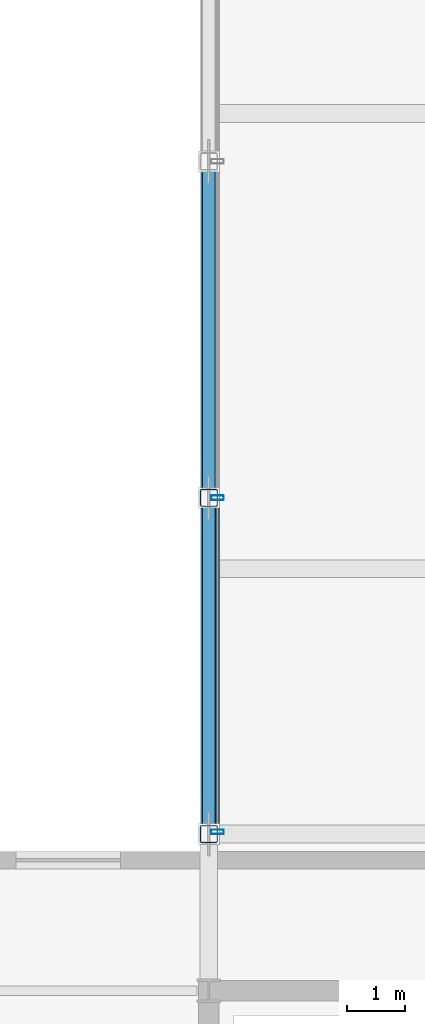
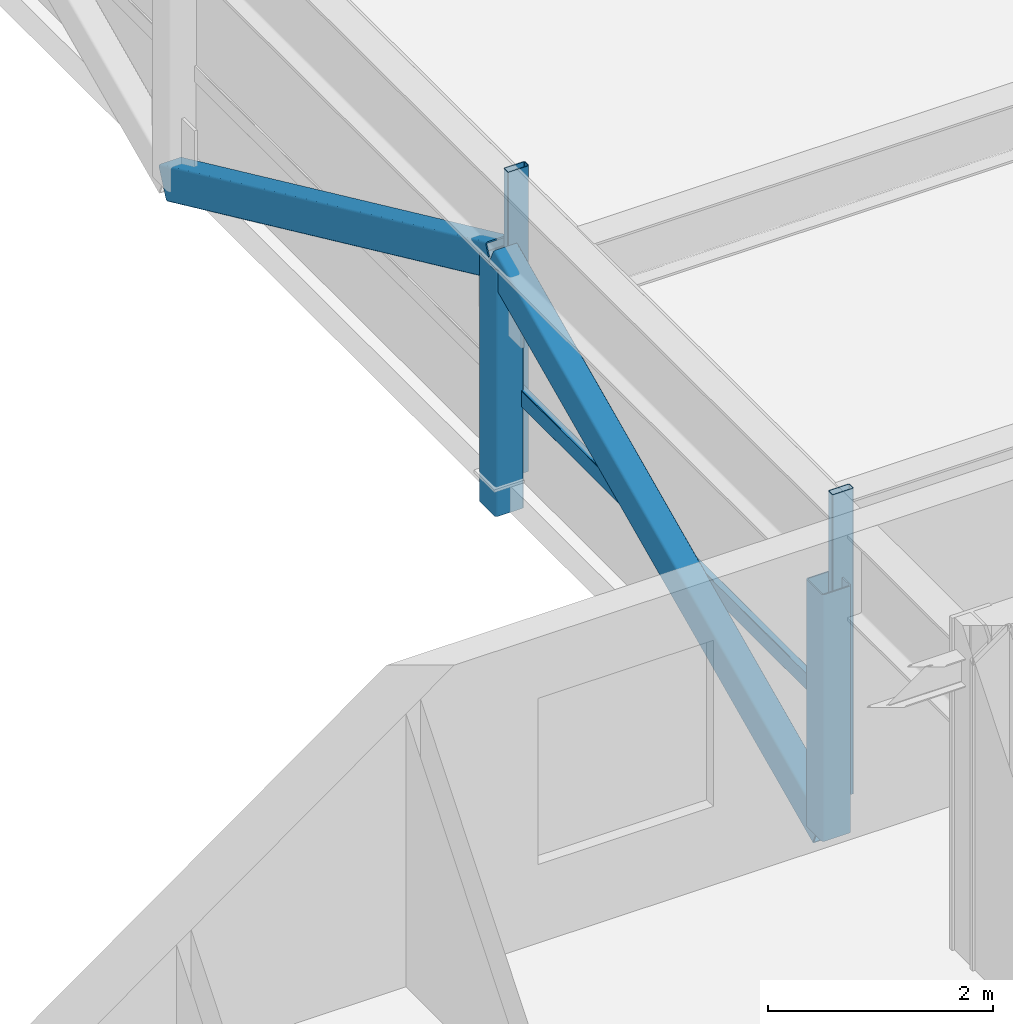
# One storey, part 4 of 36: 7 members, 1 element without a shape of its own.
"""IFC4 building model written with IfcOpenShell, lengths in metres."""

from ifc_helpers import new_model, si_unit, direction, frame, origin, origin_2d, place, context, subcontext, project, spatial, hollow_rectangle, extrude, material, layer, layer_set, material_profile, profile_set, type_object, element, aggregate, save


model = new_model("IFC4")

# Units and contexts
model_context = context("Model", 3, precision=1e-05, world=origin(), true_north=direction((0.0, 1.0)))
body_context = subcontext(model_context, "Body", "Model", "MODEL_VIEW")
ifc_project = project(units=[si_unit("LENGTHUNIT", "METRE"), si_unit("AREAUNIT", "SQUARE_METRE"), si_unit("VOLUMEUNIT", "CUBIC_METRE"), si_unit("PLANEANGLEUNIT", "RADIAN"), si_unit("MASSUNIT", "GRAM", prefix="KILO")], contexts=[model_context])

# Site, building, storey
site_placement = place(None, origin())
site = spatial("IfcSite", under=ifc_project, at=site_placement, CompositionType="ELEMENT")
building_placement = place(site_placement, origin())
building = spatial("IfcBuilding", under=site, at=building_placement, Name="Korimba Cascade Residences", CompositionType="ELEMENT")
storey_placement = place(building_placement, frame((0.0, 0.0, 146.5)))
storey = spatial("IfcBuildingStorey", under=building, at=storey_placement, Name="L42", CompositionType="ELEMENT", Elevation=146.5)

# Curtain wall, members
ifc_material_1 = material(Name="Anodised Aluminium Curtain Wall Framing", Category="aluminium")
ifc_layer = layer(ifc_material_1, 0.179931640625)
ifc_layer_set = layer_set([ifc_layer], Name="Anodised Aluminium Curtain Wall Framing")
curtain_wall_type = type_object("IfcCurtainWallType", Name="CW-BRG-SYS3", PredefinedType="NOTDEFINED", material=ifc_layer_set)
curtain_wall_placement = place(storey_placement, origin())
curtain_wall = element("IfcCurtainWall", 1, at=curtain_wall_placement, inside=storey, type_object=curtain_wall_type, Name="L42 Curtain Wall CW-L42-BRG-W", PredefinedType="NOTDEFINED")
ifc_material_2 = material(Name="Anodised Aluminium Mullion", Category="aluminium")
ifc_material_profile_1 = material_profile(ifc_material_2, hollow_rectangle(XDim=0.080078125, YDim=0.219970703125, WallThickness=0.00634765625, InnerFilletRadius=0.00634765625, OuterFilletRadius=0.0126953125, at=origin_2d()), Name="Anodised Aluminium Mullion")
ifc_profile_set_1 = profile_set([ifc_material_profile_1], Name="Anodised Aluminium Mullion")
member_type_1 = type_object("IfcMemberType", Name="CWM-MUL-220", PredefinedType="MULLION", material=ifc_profile_set_1)
member_1_placement = place(storey_placement, frame((82.25, 33.139892578125, 0.0), z_axis=(0.0, 0.0, 1.0), x_axis=(0.0, 1.0, 0.0)))
member_1 = element("IfcMember", 2, at=member_1_placement, type_object=member_type_1, Name="CW-L42-BRG-W Mullion 1", PredefinedType="MULLION", context=body_context, shape_type="SweptSolid", body=[
    extrude(hollow_rectangle(XDim=0.080078125, YDim=0.219970703125, WallThickness=0.00634765625, InnerFilletRadius=0.00634765625, OuterFilletRadius=0.0126953125, at=origin_2d()), origin(), (0.0, 0.0, 1.0), 3.31005859375),
])
member_2_placement = place(storey_placement, frame((82.25, 38.89990234375, 0.0), z_axis=(0.0, 0.0, 1.0), x_axis=(0.0, 1.0, 0.0)))
member_2 = element("IfcMember", 3, at=member_2_placement, type_object=member_type_1, Name="CW-L42-BRG-W Mullion 2", PredefinedType="MULLION", context=body_context, shape_type="SweptSolid", body=[
    extrude(hollow_rectangle(XDim=0.080078125, YDim=0.219970703125, WallThickness=0.00634765625, InnerFilletRadius=0.00634765625, OuterFilletRadius=0.0126953125, at=origin_2d()), origin(), (0.0, 0.0, 1.0), 3.31005859375),
])
ifc_material_3 = material(Name="Anodised Aluminium Transom", Category="aluminium")
ifc_material_profile_2 = material_profile(ifc_material_3, hollow_rectangle(XDim=0.070068359375, YDim=0.179931640625, WallThickness=0.0048828125, InnerFilletRadius=0.0048828125, OuterFilletRadius=0.010009765625, at=origin_2d()), Name="Anodised Aluminium Transom")
ifc_profile_set_2 = profile_set([ifc_material_profile_2], Name="Anodised Aluminium Transom")
member_type_2 = type_object("IfcMemberType", Name="CWM-TRN-150", PredefinedType="USERDEFINED", material=ifc_profile_set_2)
member_3_placement = place(storey_placement, frame((82.25, 33.139892578125, 0.89990234375), z_axis=(0.0, 1.0, 0.0), x_axis=(-1.0, 0.0, 0.0)))
member_3 = element("IfcMember", 4, at=member_3_placement, type_object=member_type_2, Name="CW-L42-BRG-W Transom 1", ObjectType="TRANSOM", PredefinedType="USERDEFINED", context=body_context, shape_type="SweptSolid", body=[
    extrude(hollow_rectangle(XDim=0.070068359375, YDim=0.179931640625, WallThickness=0.0048828125, InnerFilletRadius=0.0048828125, OuterFilletRadius=0.010009765625, at=origin_2d()), origin(), (0.0, 0.0, 1.0), 5.760009765625),
])
aggregate(curtain_wall, [member_1, member_2, member_3])

# Members
ifc_material_4 = material(Name="Steel S460", Category="steel")
ifc_material_profile_3 = material_profile(ifc_material_4, hollow_rectangle(XDim=0.25, YDim=0.35009765625, WallThickness=0.012451171875, InnerFilletRadius=0.012451171875, OuterFilletRadius=0.02490234375, at=origin_2d()), Name="Steel S460")
ifc_profile_set_3 = profile_set([ifc_material_profile_3], Name="Steel S460")
member_type_3 = type_object("IfcMemberType", Name="MEM-BRG-SHS350", PredefinedType="BRACE", material=ifc_profile_set_3)
member_4_placement = place(storey_placement, frame((82.10009765625, 33.10009765625, -0.2900390625), z_axis=(0.0, 0.90816738731, 0.418607210433), x_axis=(-1.0, 0.0, 0.0)))
element("IfcMember", 5, at=member_4_placement, inside=storey, type_object=member_type_3, Name="L42 Mid-Bridge Warren Diagonal W1", PredefinedType="BRACE", context=body_context, shape_type="SweptSolid", body=[
    extrude(hollow_rectangle(XDim=0.25, YDim=0.35009765625, WallThickness=0.012451171875, InnerFilletRadius=0.012451171875, OuterFilletRadius=0.02490234375, at=origin_2d()), origin(), (0.0, 0.0, 1.0), 6.38623046875),
])
member_5_placement = place(storey_placement, frame((82.10009765625, 38.89990234375, 2.38330078125), z_axis=(0.0, 0.9081740859, -0.418592677552), x_axis=(-1.0, 0.0, 0.0)))
element("IfcMember", 6, at=member_5_placement, inside=storey, type_object=member_type_3, Name="L42 Mid-Bridge Warren Diagonal W2", PredefinedType="BRACE", context=body_context, shape_type="SweptSolid", body=[
    extrude(hollow_rectangle(XDim=0.25, YDim=0.35009765625, WallThickness=0.012451171875, InnerFilletRadius=0.012451171875, OuterFilletRadius=0.02490234375, at=origin_2d()), origin(), (0.0, 0.0, 1.0), 6.386474609375),
])
ifc_material_profile_4 = material_profile(ifc_material_4, hollow_rectangle(XDim=0.300048828125, YDim=0.300048828125, WallThickness=0.012451171875, InnerFilletRadius=0.012451171875, OuterFilletRadius=0.02490234375, at=origin_2d()), Name="Steel S460")
ifc_profile_set_4 = profile_set([ifc_material_profile_4], Name="Steel S460")
member_type_4 = type_object("IfcMemberType", Name="MEM-BRG-STR300", PredefinedType="STRUT", material=ifc_profile_set_4)
for number, where, z_axis, x_axis, name in (
    (7, (82.10009765625, 33.10009765625, -0.2900390625), (0.0, 0.0, 1.0), (1.0, 0.0, 0.0), "L42 Mid-Bridge Warren Web Post W1"),
    (8, (82.10009765625, 38.89990234375, -0.2900390625), (0.0, 0.0, 1.0), (1.0, 0.0, 0.0), "L42 Mid-Bridge Warren Web Post W2"),
):
    element("IfcMember", number, at=place(storey_placement, frame(where, z_axis=z_axis, x_axis=x_axis)), inside=storey, type_object=member_type_4, Name=name, PredefinedType="STRUT", context=body_context, shape_type="SweptSolid", body=[
        extrude(hollow_rectangle(XDim=0.300048828125, YDim=0.300048828125, WallThickness=0.012451171875, InnerFilletRadius=0.012451171875, OuterFilletRadius=0.02490234375, at=origin_2d()), origin(), (0.0, 0.0, 1.0), 2.67333984375),
    ])

save(model, "model.ifc")
